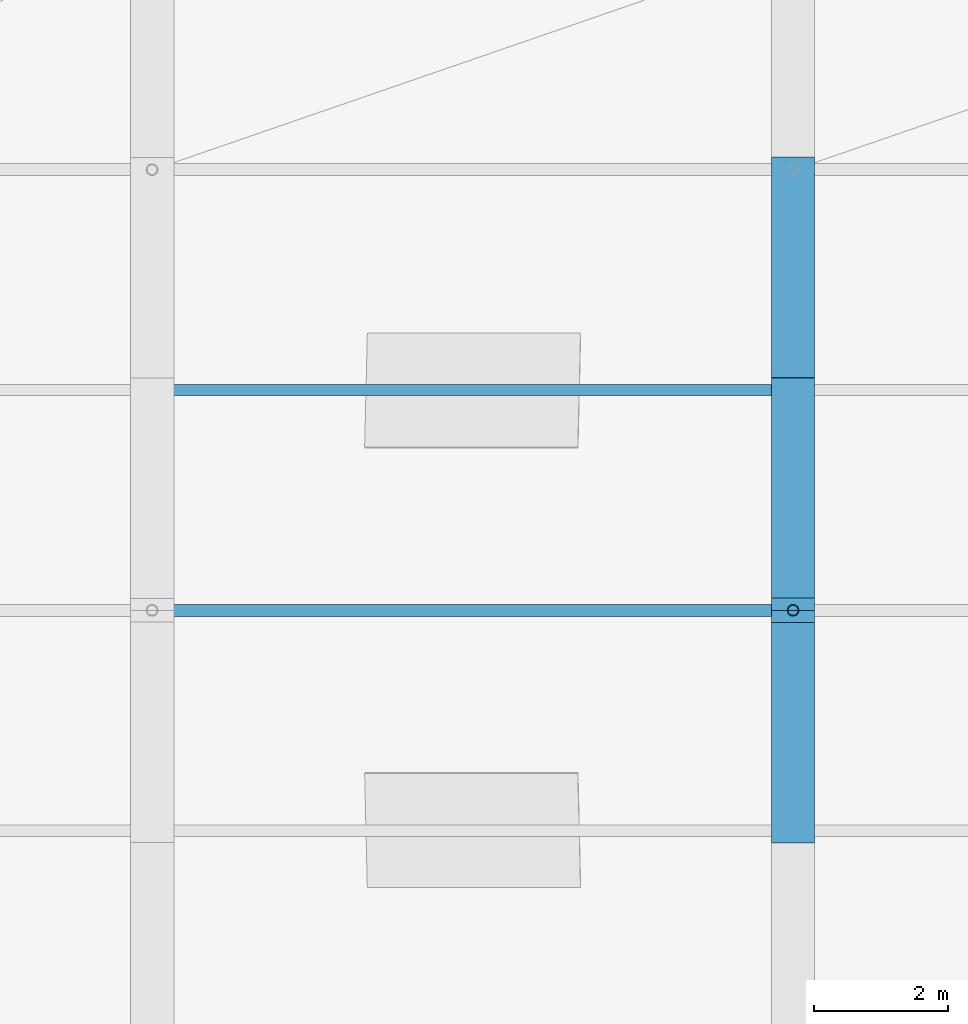
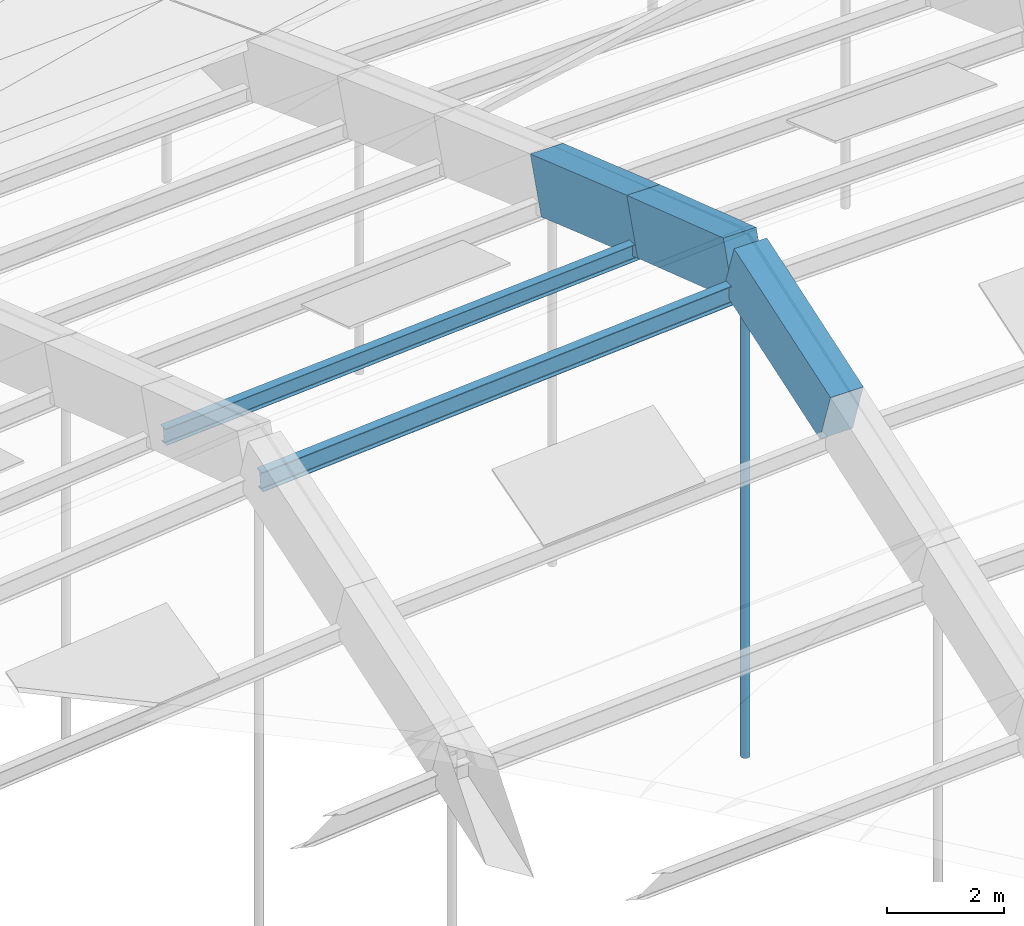
# One storey, part 9 of 43: 3 beams, 3 members.
"""IFC4 building model written with IfcOpenShell, lengths in metres."""

from ifc_helpers import new_model, si_unit, direction, frame, origin, origin_2d, place, context, subcontext, project, spatial, rectangle, hollow_circle, i_section, extrude, material, material_profile, profile_set, type_object, element, save


model = new_model("IFC4")

# Units and contexts
model_context = context("Model", 3, precision=1e-05, world=origin(), true_north=direction((0.0, 1.0)))
body_context = subcontext(model_context, "Body", "Model", "MODEL_VIEW")
ifc_project = project(units=[si_unit("LENGTHUNIT", "METRE"), si_unit("AREAUNIT", "SQUARE_METRE"), si_unit("VOLUMEUNIT", "CUBIC_METRE"), si_unit("PLANEANGLEUNIT", "RADIAN"), si_unit("MASSUNIT", "GRAM", prefix="KILO")], contexts=[model_context])

# Site, building, storey
site_placement = place(None, origin())
site = spatial("IfcSite", under=ifc_project, at=site_placement, CompositionType="ELEMENT")
building_placement = place(site_placement, origin())
building = spatial("IfcBuilding", under=site, at=building_placement, Name="Chalmorin Arch Market", CompositionType="ELEMENT")
storey_placement = place(building_placement, frame((0.0, 0.0, 18.60009765625)))
storey = spatial("IfcBuildingStorey", under=building, at=storey_placement, Name="RF", CompositionType="ELEMENT", Elevation=18.60009765625)

# Member
ifc_material_1 = material(Name="Steel A500 Grade C", Category="steel")
ifc_material_profile_1 = material_profile(ifc_material_1, hollow_circle(Radius=0.084228515625, WallThickness=0.007080078125, at=origin_2d()), Name="CHS168X7")
ifc_profile_set_1 = profile_set([ifc_material_profile_1], Name="Steel A500 Grade C")
member_type_1 = type_object("IfcMemberType", Name="ArchHangerTie-CHS168", PredefinedType="CHORD", material=ifc_profile_set_1)
member_1_placement = place(storey_placement, frame((76.800048828125, 32.39990234375, -2.552978515625), z_axis=(0.0, 0.0, 1.0), x_axis=(1.0, 0.0, 0.0)))
element("IfcMember", 1, at=member_1_placement, inside=storey, type_object=member_type_1, Name="HT-CH168-0152", PredefinedType="CHORD", context=body_context, shape_type="SweptSolid", body=[
    extrude(hollow_circle(Radius=0.084228515625, WallThickness=0.007080078125, at=origin_2d()), origin(), (0.0, 0.0, 1.0), 10.266845703125),
])

# Beams
ifc_material_2 = material(Name="Concrete C50/60", Category="concrete")
ifc_material_profile_2 = material_profile(ifc_material_2, rectangle(XDim=0.64990234375, YDim=1.14990234375, at=origin_2d()), Name="RC650X1150")
ifc_profile_set_2 = profile_set([ifc_material_profile_2], Name="Concrete C50/60")
beam_type = type_object("IfcBeamType", Name="ArchRibChord-650x1150", PredefinedType="BEAM", material=ifc_profile_set_2)
beam_1_placement = place(storey_placement, frame((76.800048828125, 29.10009765625, 6.605712890625), z_axis=(0.0, 0.947972533433, 0.318352125573), x_axis=(-1.0, 0.0, 0.0)))
element("IfcBeam", 2, at=beam_1_placement, inside=storey, type_object=beam_type, Name="AR-01-1649", PredefinedType="BEAM", context=body_context, shape_type="SweptSolid", body=[
    extrude(rectangle(XDim=0.64990234375, YDim=1.14990234375, at=origin_2d()), origin(), (0.0, 0.0, 1.0), 3.48095703125),
])
beam_2_placement = place(storey_placement, frame((76.800048828125, 32.39990234375, 7.7138671875), z_axis=(0.0, 0.94797964098, -0.318330960303), x_axis=(-1.0, 0.0, 0.0)))
element("IfcBeam", 3, at=beam_2_placement, inside=storey, type_object=beam_type, Name="AR-01-1650", PredefinedType="BEAM", context=body_context, shape_type="SweptSolid", body=[
    extrude(rectangle(XDim=0.64990234375, YDim=1.14990234375, at=origin_2d()), origin(), (0.0, 0.0, 1.0), 3.481201171875),
])
beam_3_placement = place(storey_placement, frame((76.800048828125, 35.699951171875, 6.605712890625), z_axis=(0.0, 0.945287483445, -0.326238522621), x_axis=(-1.0, 0.0, 0.0)))
element("IfcBeam", 4, at=beam_3_placement, inside=storey, type_object=beam_type, Name="AR-01-1651", PredefinedType="BEAM", context=body_context, shape_type="SweptSolid", body=[
    extrude(rectangle(XDim=0.64990234375, YDim=1.14990234375, at=origin_2d()), origin(), (0.0, 0.0, 1.0), 3.490966796875),
])

# Members
ifc_material_3 = material(Name="Steel A992 Grade 50", Category="steel")
ifc_material_profile_3 = material_profile(ifc_material_3, i_section(OverallWidth=0.1708984375, OverallDepth=0.35107421875, WebThickness=0.0068359375, FlangeThickness=0.009765625, FilletRadius=0.014892578125, at=origin_2d()), Name="W14X30")
ifc_profile_set_3 = profile_set([ifc_material_profile_3], Name="Steel A992 Grade 50")
member_type_2 = type_object("IfcMemberType", Name="RoofSteelPurlin-W14X30", PredefinedType="PURLIN", material=ifc_profile_set_3)
member_2_placement = place(storey_placement, frame((67.219970703125, 35.699951171875, 5.496826171875), z_axis=(0.997844848804, 0.0, 0.065617510743), x_axis=(0.0, 1.0, 0.0)))
element("IfcMember", 5, at=member_2_placement, inside=storey, type_object=member_type_2, Name="PR-W14-0231", PredefinedType="PURLIN", context=body_context, shape_type="SweptSolid", body=[
    extrude(i_section(OverallWidth=0.1708984375, OverallDepth=0.35107421875, WebThickness=0.0068359375, FlangeThickness=0.009765625, FilletRadius=0.014892578125, at=origin_2d()), origin(), (0.0, 0.0, 1.0), 9.580810546875),
])
ifc_material_profile_4 = material_profile(ifc_material_3, i_section(OverallWidth=0.178955078125, OverallDepth=0.409912109375, WebThickness=0.0087890625, FlangeThickness=0.014404296875, FilletRadius=0.01806640625, at=origin_2d()), Name="W16X45")
ifc_profile_set_4 = profile_set([ifc_material_profile_4], Name="Steel A992 Grade 50")
member_type_3 = type_object("IfcMemberType", Name="RoofSteelPurlin-W16X45", PredefinedType="PURLIN", material=ifc_profile_set_4)
member_3_placement = place(storey_placement, frame((67.219970703125, 32.39990234375, 6.56201171875), z_axis=(0.997539515167, 0.0, 0.070106459618), x_axis=(0.0, 1.0, 0.0)))
element("IfcMember", 6, at=member_3_placement, inside=storey, type_object=member_type_3, Name="PR-W16-0230", PredefinedType="PURLIN", context=body_context, shape_type="SweptSolid", body=[
    extrude(i_section(OverallWidth=0.178955078125, OverallDepth=0.409912109375, WebThickness=0.0087890625, FlangeThickness=0.014404296875, FilletRadius=0.01806640625, at=origin_2d()), origin(), (0.0, 0.0, 1.0), 9.583740234375),
])

save(model, "model.ifc")
